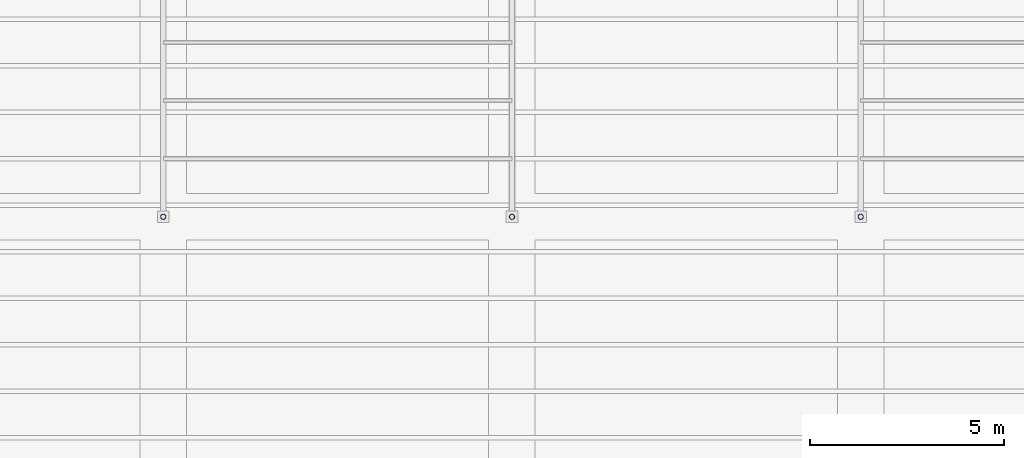
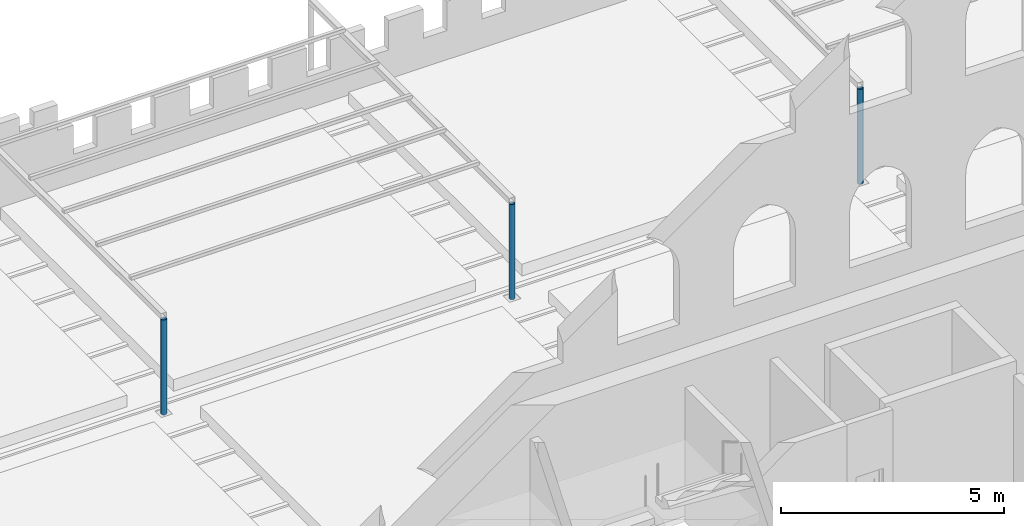
# One storey, part 8 of 153: 3 columns.
"""IFC4 building model written with IfcOpenShell, lengths in metres."""

from ifc_helpers import new_model, si_unit, direction, frame, origin, origin_2d, place, context, subcontext, project, spatial, hollow_circle, extrude, material, material_profile, profile_set, type_object, element, save


model = new_model("IFC4")

# Units and contexts
model_context = context("Model", 3, precision=1e-05, world=origin(), true_north=direction((0.0, 1.0)))
body_context = subcontext(model_context, "Body", "Model", "MODEL_VIEW")
ifc_project = project(units=[si_unit("LENGTHUNIT", "METRE"), si_unit("AREAUNIT", "SQUARE_METRE"), si_unit("VOLUMEUNIT", "CUBIC_METRE"), si_unit("PLANEANGLEUNIT", "RADIAN"), si_unit("MASSUNIT", "GRAM", prefix="KILO")], contexts=[model_context])

# Site, building, storey
site_placement = place(None, origin())
site = spatial("IfcSite", under=ifc_project, at=site_placement, CompositionType="ELEMENT")
building_placement = place(site_placement, origin())
building = spatial("IfcBuilding", under=site, at=building_placement, Name="Baradari Gate Terminus", CompositionType="ELEMENT")
storey_placement = place(building_placement, frame((0.0, 0.0, 11.699951171875)))
storey = spatial("IfcBuildingStorey", under=building, at=storey_placement, Name="L02", CompositionType="ELEMENT", Elevation=11.699951171875)

# Columns
ifc_material = material(Name="Steel S355", Category="steel")
ifc_material_profile = material_profile(ifc_material, hollow_circle(Radius=0.06982421875, WallThickness=0.008056640625, at=origin_2d()), Name="CHS 139.7x8")
ifc_profile_set = profile_set([ifc_material_profile], Name="Steel S355")
column_type = type_object("IfcColumnType", Name="Pergola post CHS 139.7x8", PredefinedType="COLUMN", material=ifc_profile_set)
for number, where, z_axis, x_axis, name in (
    (1, (72.0, 99.0, 0.0), (0.0, 0.0, 1.0), (1.0, 0.0, 0.0), "RF/L02/PGW1-PGC1"),
    (2, (81.0, 99.0, 0.0), (0.0, 0.0, 1.0), (1.0, 0.0, 0.0), "RF/L02/PGW1-PGC2"),
    (3, (90.0, 99.0, 0.0), (0.0, 0.0, 1.0), (1.0, 0.0, 0.0), "RF/L02/PGW2-PGC1"),
):
    element("IfcColumn", number, at=place(storey_placement, frame(where, z_axis=z_axis, x_axis=x_axis)), inside=storey, type_object=column_type, Name=name, PredefinedType="COLUMN", context=body_context, shape_type="SweptSolid", body=[
        extrude(hollow_circle(Radius=0.06982421875, WallThickness=0.008056640625, at=origin_2d()), origin(), (0.0, 0.0, 1.0), 2.60009765625),
    ])

save(model, "model.ifc")
